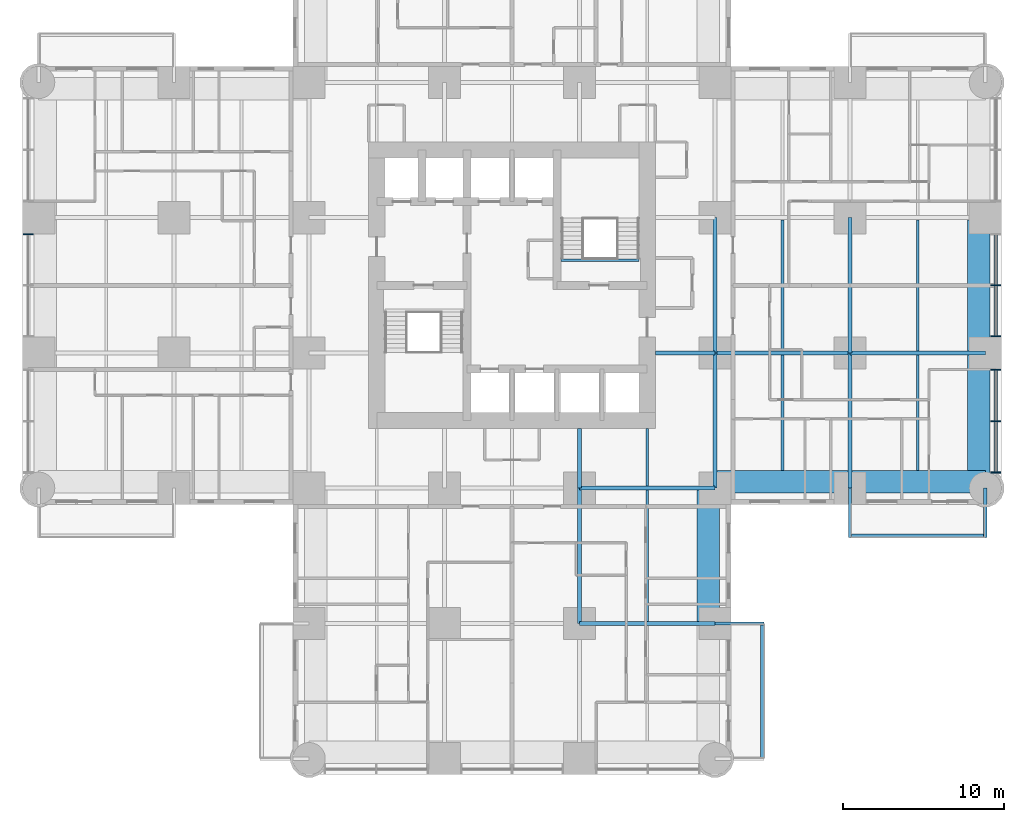
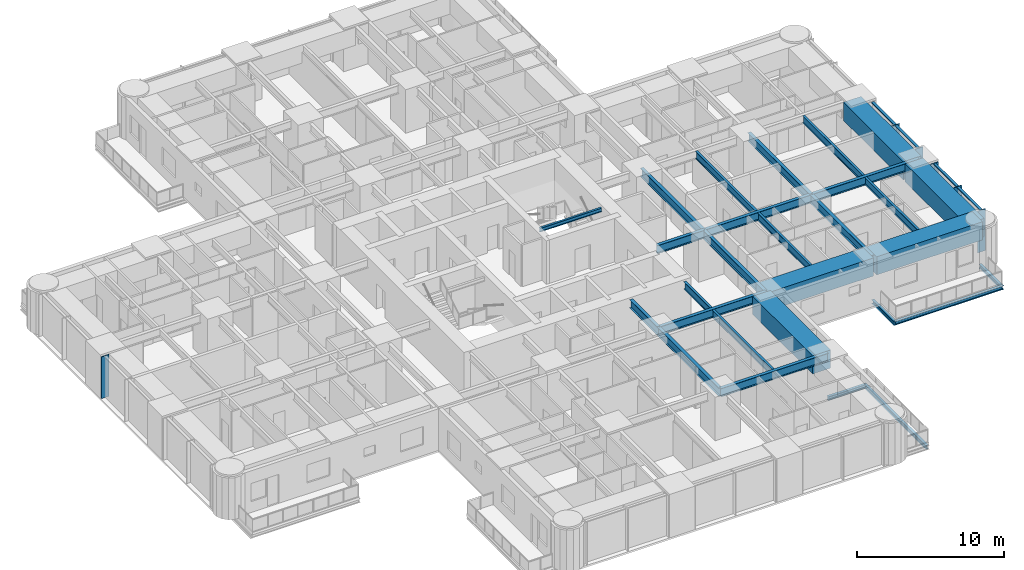
# One storey, part 3 of 17: 28 beams, 10 members, 2 elements without a shape of their own.
"""IFC4 building model written with IfcOpenShell, lengths in metres."""

from ifc_helpers import new_model, si_unit, direction, frame, origin, origin_2d, place, context, subcontext, project, spatial, rectangle, i_section, extrude, material, material_profile, profile_set, type_object, element, aggregate, save


model = new_model("IFC4")

# Units and contexts
model_context = context("Model", 3, precision=1e-05, world=origin(), true_north=direction((0.0, 1.0)))
body_context = subcontext(model_context, "Body", "Model", "MODEL_VIEW")
ifc_project = project(units=[si_unit("LENGTHUNIT", "METRE"), si_unit("AREAUNIT", "SQUARE_METRE"), si_unit("VOLUMEUNIT", "CUBIC_METRE"), si_unit("PLANEANGLEUNIT", "RADIAN"), si_unit("MASSUNIT", "GRAM", prefix="KILO")], contexts=[model_context])

# Site, building, storey
site_placement = place(None, origin())
site = spatial("IfcSite", under=ifc_project, at=site_placement, CompositionType="ELEMENT")
building_placement = place(site_placement, origin())
building = spatial("IfcBuilding", under=site, at=building_placement, Name="Torre Alcanfor", CompositionType="ELEMENT")
storey_placement = place(building_placement, frame((0.0, 0.0, 95.699951171875)))
storey = spatial("IfcBuildingStorey", under=building, at=storey_placement, Name="L24", CompositionType="ELEMENT", Elevation=95.699951171875)

# Beams
ifc_material_1 = material(Name="Steel ASTM A992 Grade 50", Category="steel")
ifc_material_profile_1 = material_profile(ifc_material_1, i_section(OverallWidth=0.205322265625, OverallDepth=0.309814453125, WebThickness=0.00927734375, FlangeThickness=0.016357421875, at=origin_2d()), Name="W12x50")
ifc_profile_set_1 = profile_set([ifc_material_profile_1], Name="Steel ASTM A992 Grade 50")
beam_type_1 = type_object("IfcBeamType", Name="Balcony cantilever beam W12x50", PredefinedType="BEAM", material=ifc_profile_set_1)
for number, where, z_axis, x_axis, name in (
    (1, (50.39990234375, 16.800048828125, -0.35498046875), (0.0, -1.0, 0.0), (1.0, 0.0, 0.0), "Balcony cantilever beam L24-E2 1"),
    (2, (58.800048828125, 16.800048828125, -0.35498046875), (0.0, -1.0, 0.0), (1.0, 0.0, 0.0), "Balcony cantilever beam L24-E2 2"),
    (3, (42.0, 8.39990234375, -0.35498046875), (1.0, 0.0, 0.0), (0.0, 1.0, 0.0), "Balcony cantilever beam L24-S1 1"),
):
    element("IfcBeam", number, at=place(storey_placement, frame(where, z_axis=z_axis, x_axis=x_axis)), inside=storey, type_object=beam_type_1, Name=name, PredefinedType="BEAM", context=body_context, shape_type="SweptSolid", body=[
        extrude(i_section(OverallWidth=0.205322265625, OverallDepth=0.309814453125, WebThickness=0.00927734375, FlangeThickness=0.016357421875, at=origin_2d()), origin(), (0.0, 0.0, 1.0), 3.050048828125),
    ])
ifc_material_2 = material(Name="Steel ASTM A992 Grade 50", Category="steel")
ifc_material_profile_2 = material_profile(ifc_material_2, i_section(OverallWidth=0.203369140625, OverallDepth=0.30224609375, WebThickness=0.007568359375, FlangeThickness=0.01318359375, at=origin_2d()), Name="W12x40")
ifc_profile_set_2 = profile_set([ifc_material_profile_2], Name="Steel ASTM A992 Grade 50")
beam_type_2 = type_object("IfcBeamType", Name="Balcony edge trimmer W12x40", PredefinedType="BEAM", material=ifc_profile_set_2)
beam_1_placement = place(storey_placement, frame((50.39990234375, 13.851806640625, -0.35107421875), z_axis=(1.0, 0.0, 0.0), x_axis=(0.0, 1.0, 0.0)))
element("IfcBeam", 4, at=beam_1_placement, inside=storey, type_object=beam_type_2, Name="Balcony edge trimmer L24-E2", PredefinedType="BEAM", context=body_context, shape_type="SweptSolid", body=[
    extrude(i_section(OverallWidth=0.203369140625, OverallDepth=0.30224609375, WebThickness=0.007568359375, FlangeThickness=0.01318359375, at=origin_2d()), origin(), (0.0, 0.0, 1.0), 8.400146484375),
])
beam_2_placement = place(storey_placement, frame((44.9482421875, 8.39990234375, -0.35107421875), z_axis=(0.0, -1.0, 0.0), x_axis=(1.0, 0.0, 0.0)))
element("IfcBeam", 5, at=beam_2_placement, inside=storey, type_object=beam_type_2, Name="Balcony edge trimmer L24-S1", PredefinedType="BEAM", context=body_context, shape_type="SweptSolid", body=[
    extrude(i_section(OverallWidth=0.203369140625, OverallDepth=0.30224609375, WebThickness=0.007568359375, FlangeThickness=0.01318359375, at=origin_2d()), origin(), (0.0, 0.0, 1.0), 8.39990234375),
])

# Curtain wall, member
ifc_material_3 = material(Name="Aluminium and glass", Category="aluminium")
curtain_wall_type = type_object("IfcCurtainWallType", Name="CW-A unitised apartment glazing with vertical FIN", PredefinedType="NOTDEFINED", material=ifc_material_3)
curtain_wall_1_placement = place(storey_placement, origin())
curtain_wall_1 = element("IfcCurtainWall", 6, at=curtain_wall_1_placement, inside=storey, type_object=curtain_wall_type, Name="Curtain wall CW-A L24 2", PredefinedType="NOTDEFINED")
ifc_material_4 = material(Name="Bronze anodised aluminium", Category="aluminium")
ifc_material_profile_3 = material_profile(ifc_material_4, rectangle(XDim=0.60009765625, YDim=0.06494140625, at=origin_2d()), Name="CW-A mullion 65x600")
ifc_profile_set_3 = profile_set([ifc_material_profile_3], Name="Bronze anodised aluminium")
member_type_1 = type_object("IfcMemberType", Name="CW-A mullion with vertical FIN 65x600", PredefinedType="MULLION", material=ifc_profile_set_3)
member_1_placement = place(storey_placement, frame((-0.64990234375, 32.5625, 0.0), z_axis=(0.0, 0.0, 1.0), x_axis=(1.0, 0.0, 0.0)))
member_1 = element("IfcMember", 7, at=member_1_placement, type_object=member_type_1, Name="CW-A mullion 2.1", PredefinedType="MULLION", context=body_context, shape_type="SweptSolid", body=[
    extrude(rectangle(XDim=0.60009765625, YDim=0.06494140625, at=origin_2d()), origin(), (0.0, 0.0, 1.0), 3.449951171875),
])
aggregate(curtain_wall_1, [member_1])

# Curtain wall, members
curtain_wall_2_placement = place(storey_placement, origin())
curtain_wall_2 = element("IfcCurtainWall", 8, at=curtain_wall_2_placement, inside=storey, type_object=curtain_wall_type, Name="Curtain wall CW-A L24 8", PredefinedType="NOTDEFINED")
member_2_placement = place(storey_placement, frame((59.449951171875, 17.7744140625, 0.0), z_axis=(0.0, 0.0, 1.0), x_axis=(-1.0, 0.0, 0.0)))
member_2 = element("IfcMember", 9, at=member_2_placement, type_object=member_type_1, Name="CW-A mullion 1.1", PredefinedType="MULLION", context=body_context, shape_type="SweptSolid", body=[
    extrude(rectangle(XDim=0.60009765625, YDim=0.06494140625, at=origin_2d()), origin(), (0.0, 0.0, 1.0), 3.449951171875),
])
member_3_placement = place(storey_placement, frame((59.449951171875, 20.968505859375, 0.0), z_axis=(0.0, 0.0, 1.0), x_axis=(-1.0, 0.0, 0.0)))
member_3 = element("IfcMember", 10, at=member_3_placement, type_object=member_type_1, Name="CW-A mullion 1.2", PredefinedType="MULLION", context=body_context, shape_type="SweptSolid", body=[
    extrude(rectangle(XDim=0.60009765625, YDim=0.06494140625, at=origin_2d()), origin(), (0.0, 0.0, 1.0), 3.449951171875),
])
member_4_placement = place(storey_placement, frame((59.449951171875, 24.16259765625, 0.0), z_axis=(0.0, 0.0, 1.0), x_axis=(-1.0, 0.0, 0.0)))
member_4 = element("IfcMember", 11, at=member_4_placement, type_object=member_type_1, Name="CW-A mullion 1.3", PredefinedType="MULLION", context=body_context, shape_type="SweptSolid", body=[
    extrude(rectangle(XDim=0.60009765625, YDim=0.06494140625, at=origin_2d()), origin(), (0.0, 0.0, 1.0), 3.449951171875),
])
member_5_placement = place(storey_placement, frame((59.449951171875, 26.237548828125, 0.0), z_axis=(0.0, 0.0, 1.0), x_axis=(-1.0, 0.0, 0.0)))
member_5 = element("IfcMember", 12, at=member_5_placement, type_object=member_type_1, Name="CW-A mullion 2.1", PredefinedType="MULLION", context=body_context, shape_type="SweptSolid", body=[
    extrude(rectangle(XDim=0.60009765625, YDim=0.06494140625, at=origin_2d()), origin(), (0.0, 0.0, 1.0), 3.449951171875),
])
member_6_placement = place(storey_placement, frame((59.449951171875, 29.39990234375, 0.0), z_axis=(0.0, 0.0, 1.0), x_axis=(-1.0, 0.0, 0.0)))
member_6 = element("IfcMember", 13, at=member_6_placement, type_object=member_type_1, Name="CW-A mullion 2.2", PredefinedType="MULLION", context=body_context, shape_type="SweptSolid", body=[
    extrude(rectangle(XDim=0.60009765625, YDim=0.06494140625, at=origin_2d()), origin(), (0.0, 0.0, 1.0), 3.449951171875),
])
ifc_material_5 = material(Name="Extruded aluminium", Category="aluminium")
ifc_material_profile_4 = material_profile(ifc_material_5, rectangle(XDim=0.199951171875, YDim=0.06494140625, at=origin_2d()), Name="CW-A transom 200x65")
ifc_profile_set_4 = profile_set([ifc_material_profile_4], Name="Extruded aluminium")
member_type_2 = type_object("IfcMemberType", Name="CW-A transom 65x200", PredefinedType="USERDEFINED", material=ifc_profile_set_4)
member_7_placement = place(storey_placement, frame((59.449951171875, 17.806884765625, 3.41748046875), z_axis=(0.0, 1.0, 0.0), x_axis=(-1.0, 0.0, 0.0)))
member_7 = element("IfcMember", 14, at=member_7_placement, type_object=member_type_2, Name="CW-A transom 1.1.2", ObjectType="TRANSOM", PredefinedType="USERDEFINED", context=body_context, shape_type="SweptSolid", body=[
    extrude(rectangle(XDim=0.199951171875, YDim=0.06494140625, at=origin_2d()), origin(), (0.0, 0.0, 1.0), 3.129150390625),
])
member_8_placement = place(storey_placement, frame((59.449951171875, 21.0009765625, 3.41748046875), z_axis=(0.0, 1.0, 0.0), x_axis=(-1.0, 0.0, 0.0)))
member_8 = element("IfcMember", 15, at=member_8_placement, type_object=member_type_2, Name="CW-A transom 1.2.2", ObjectType="TRANSOM", PredefinedType="USERDEFINED", context=body_context, shape_type="SweptSolid", body=[
    extrude(rectangle(XDim=0.199951171875, YDim=0.06494140625, at=origin_2d()), origin(), (0.0, 0.0, 1.0), 3.12890625),
])
member_9_placement = place(storey_placement, frame((59.449951171875, 26.27001953125, 3.41748046875), z_axis=(0.0, 1.0, 0.0), x_axis=(-1.0, 0.0, 0.0)))
member_9 = element("IfcMember", 16, at=member_9_placement, type_object=member_type_2, Name="CW-A transom 2.1.2", ObjectType="TRANSOM", PredefinedType="USERDEFINED", context=body_context, shape_type="SweptSolid", body=[
    extrude(rectangle(XDim=0.199951171875, YDim=0.06494140625, at=origin_2d()), origin(), (0.0, 0.0, 1.0), 3.097412109375),
])
member_10_placement = place(storey_placement, frame((59.449951171875, 29.4326171875, 3.41748046875), z_axis=(0.0, 1.0, 0.0), x_axis=(-1.0, 0.0, 0.0)))
member_10 = element("IfcMember", 17, at=member_10_placement, type_object=member_type_2, Name="CW-A transom 2.2.2", ObjectType="TRANSOM", PredefinedType="USERDEFINED", context=body_context, shape_type="SweptSolid", body=[
    extrude(rectangle(XDim=0.199951171875, YDim=0.06494140625, at=origin_2d()), origin(), (0.0, 0.0, 1.0), 3.097412109375),
])
aggregate(curtain_wall_2, [member_2, member_3, member_4, member_7, member_8, member_5, member_6, member_9, member_10])

# Beams
ifc_material_6 = material(Name="Steel ASTM A992 Grade 50", Category="steel")
ifc_material_profile_5 = material_profile(ifc_material_6, i_section(OverallWidth=0.25390625, OverallDepth=0.683349609375, WebThickness=0.012451171875, FlangeThickness=0.01904296875, at=origin_2d()), Name="W27x94")
ifc_profile_set_5 = profile_set([ifc_material_profile_5], Name="Steel ASTM A992 Grade 50")
beam_type_3 = type_object("IfcBeamType", Name="Girder W27x94", PredefinedType="BEAM", material=ifc_profile_set_5)
for number, where, z_axis, x_axis, name in (
    (18, (33.60009765625, 8.39990234375, 3.1083984375), (1.0, 0.0, 0.0), (0.0, 1.0, 0.0), "Beam 5D-6D under L25"),
    (19, (33.60009765625, 16.800048828125, 3.1083984375), (1.0, 0.0, 0.0), (0.0, 1.0, 0.0), "Beam 5E-6E under L25"),
    (20, (42.0, 25.199951171875, 3.1083984375), (1.0, 0.0, 0.0), (0.0, 1.0, 0.0), "Beam 6F-7F under L25"),
):
    element("IfcBeam", number, at=place(storey_placement, frame(where, z_axis=z_axis, x_axis=x_axis)), inside=storey, type_object=beam_type_3, Name=name, PredefinedType="BEAM", context=body_context, shape_type="SweptSolid", body=[
        extrude(i_section(OverallWidth=0.25390625, OverallDepth=0.683349609375, WebThickness=0.012451171875, FlangeThickness=0.01904296875, at=origin_2d()), origin(), (0.0, 0.0, 1.0), 8.39990234375),
    ])
for number, where, z_axis, x_axis, name in (
    (21, (50.39990234375, 25.199951171875, 3.1083984375), (1.0, 0.0, 0.0), (0.0, 1.0, 0.0), "Beam 7F-8F under L25"),
    (22, (33.60009765625, 8.39990234375, 3.1083984375), (0.0, 1.0, 0.0), (-1.0, 0.0, 0.0), "Beam 5D-5E under L25"),
):
    element("IfcBeam", number, at=place(storey_placement, frame(where, z_axis=z_axis, x_axis=x_axis)), inside=storey, type_object=beam_type_3, Name=name, PredefinedType="BEAM", context=body_context, shape_type="SweptSolid", body=[
        extrude(i_section(OverallWidth=0.25390625, OverallDepth=0.683349609375, WebThickness=0.012451171875, FlangeThickness=0.01904296875, at=origin_2d()), origin(), (0.0, 0.0, 1.0), 8.400146484375),
    ])
beam_3_placement = place(storey_placement, frame((42.0, 16.800048828125, 3.1083984375), z_axis=(0.0, 1.0, 0.0), x_axis=(-1.0, 0.0, 0.0)))
element("IfcBeam", 23, at=beam_3_placement, inside=storey, type_object=beam_type_3, Name="Beam 6E-6F under L25", PredefinedType="BEAM", context=body_context, shape_type="SweptSolid", body=[
    extrude(i_section(OverallWidth=0.25390625, OverallDepth=0.683349609375, WebThickness=0.012451171875, FlangeThickness=0.01904296875, at=origin_2d()), origin(), (0.0, 0.0, 1.0), 8.39990234375),
])
beam_4_placement = place(storey_placement, frame((42.0, 25.199951171875, 3.1083984375), z_axis=(0.0, 1.0, 0.0), x_axis=(-1.0, 0.0, 0.0)))
element("IfcBeam", 24, at=beam_4_placement, inside=storey, type_object=beam_type_3, Name="Beam 6F-6G under L25", PredefinedType="BEAM", context=body_context, shape_type="SweptSolid", body=[
    extrude(i_section(OverallWidth=0.25390625, OverallDepth=0.683349609375, WebThickness=0.012451171875, FlangeThickness=0.01904296875, at=origin_2d()), origin(), (0.0, 0.0, 1.0), 8.400146484375),
])
beam_5_placement = place(storey_placement, frame((50.39990234375, 16.800048828125, 3.1083984375), z_axis=(0.0, 1.0, 0.0), x_axis=(-1.0, 0.0, 0.0)))
element("IfcBeam", 25, at=beam_5_placement, inside=storey, type_object=beam_type_3, Name="Beam 7E-7F under L25", PredefinedType="BEAM", context=body_context, shape_type="SweptSolid", body=[
    extrude(i_section(OverallWidth=0.25390625, OverallDepth=0.683349609375, WebThickness=0.012451171875, FlangeThickness=0.01904296875, at=origin_2d()), origin(), (0.0, 0.0, 1.0), 8.39990234375),
])
beam_6_placement = place(storey_placement, frame((50.39990234375, 25.199951171875, 3.1083984375), z_axis=(0.0, 1.0, 0.0), x_axis=(-1.0, 0.0, 0.0)))
element("IfcBeam", 26, at=beam_6_placement, inside=storey, type_object=beam_type_3, Name="Beam 7F-7G under L25", PredefinedType="BEAM", context=body_context, shape_type="SweptSolid", body=[
    extrude(i_section(OverallWidth=0.25390625, OverallDepth=0.683349609375, WebThickness=0.012451171875, FlangeThickness=0.01904296875, at=origin_2d()), origin(), (0.0, 0.0, 1.0), 8.400146484375),
])
ifc_material_7 = material(Name="Steel ASTM A992 Grade 50", Category="steel")
ifc_material_profile_6 = material_profile(ifc_material_7, i_section(OverallWidth=0.25390625, OverallDepth=0.683349609375, WebThickness=0.012451171875, FlangeThickness=0.01904296875, at=origin_2d()), Name="W27x94")
ifc_profile_set_6 = profile_set([ifc_material_profile_6], Name="Steel ASTM A992 Grade 50")
beam_type_4 = type_object("IfcBeamType", Name="Girder, part bay W27x94", PredefinedType="BEAM", material=ifc_profile_set_6)
for number, where, z_axis, x_axis, name in (
    (27, (33.60009765625, 16.800048828125, 3.1083984375), (0.0, 1.0, 0.0), (-1.0, 0.0, 0.0), "Beam 5E-520_5 under L25"),
    (28, (42.0, 25.199951171875, 3.1083984375), (-1.0, 0.0, 0.0), (0.0, -1.0, 0.0), "Beam 6F-38_3F under L25"),
):
    element("IfcBeam", number, at=place(storey_placement, frame(where, z_axis=z_axis, x_axis=x_axis)), inside=storey, type_object=beam_type_4, Name=name, PredefinedType="BEAM", context=body_context, shape_type="SweptSolid", body=[
        extrude(i_section(OverallWidth=0.25390625, OverallDepth=0.683349609375, WebThickness=0.012451171875, FlangeThickness=0.01904296875, at=origin_2d()), origin(), (0.0, 0.0, 1.0), 3.699951171875),
    ])
ifc_material_8 = material(Name="Concrete f'c 70 MPa", Category="concrete")
ifc_material_profile_7 = material_profile(ifc_material_8, rectangle(XDim=1.39990234375, YDim=1.5, at=origin_2d()), Name="1400x1500")
ifc_profile_set_7 = profile_set([ifc_material_profile_7], Name="Concrete f'c 70 MPa")
beam_type_5 = type_object("IfcBeamType", Name="RC perimeter beam 1400x1500", PredefinedType="BEAM", material=ifc_profile_set_7)
beam_7_placement = place(storey_placement, frame((41.873046875, 17.199951171875, 2.699951171875), z_axis=(1.0, 0.0, 0.0), x_axis=(0.0, 1.0, 0.0)))
element("IfcBeam", 29, at=beam_7_placement, inside=storey, type_object=beam_type_5, Name="Beam 6E-7E under L25", PredefinedType="BEAM", context=body_context, shape_type="SweptSolid", body=[
    extrude(rectangle(XDim=1.39990234375, YDim=1.5, at=origin_2d()), origin(), (0.0, 0.0, 1.0), 8.39990234375),
])
beam_8_placement = place(storey_placement, frame((50.527099609375, 17.199951171875, 2.699951171875), z_axis=(1.0, 0.0, 0.0), x_axis=(0.0, 1.0, 0.0)))
element("IfcBeam", 30, at=beam_8_placement, inside=storey, type_object=beam_type_5, Name="Beam 7E-8E under L25", PredefinedType="BEAM", context=body_context, shape_type="SweptSolid", body=[
    extrude(rectangle(XDim=1.39990234375, YDim=1.5, at=origin_2d()), origin(), (0.0, 0.0, 1.0), 8.27294921875),
])
beam_9_placement = place(storey_placement, frame((41.60009765625, 8.527099609375, 2.699951171875), z_axis=(0.0, 1.0, 0.0), x_axis=(-1.0, 0.0, 0.0)))
element("IfcBeam", 31, at=beam_9_placement, inside=storey, type_object=beam_type_5, Name="Beam 6D-6E under L25", PredefinedType="BEAM", context=body_context, shape_type="SweptSolid", body=[
    extrude(rectangle(XDim=1.39990234375, YDim=1.5, at=origin_2d()), origin(), (0.0, 0.0, 1.0), 8.14599609375),
])
beam_10_placement = place(storey_placement, frame((58.39990234375, 16.800048828125, 2.699951171875), z_axis=(0.0, 1.0, 0.0), x_axis=(-1.0, 0.0, 0.0)))
element("IfcBeam", 32, at=beam_10_placement, inside=storey, type_object=beam_type_5, Name="Beam 8E-8F under L25", PredefinedType="BEAM", context=body_context, shape_type="SweptSolid", body=[
    extrude(rectangle(XDim=1.39990234375, YDim=1.5, at=origin_2d()), origin(), (0.0, 0.0, 1.0), 8.27294921875),
])
beam_11_placement = place(storey_placement, frame((58.39990234375, 25.326904296875, 2.699951171875), z_axis=(0.0, 1.0, 0.0), x_axis=(-1.0, 0.0, 0.0)))
element("IfcBeam", 33, at=beam_11_placement, inside=storey, type_object=beam_type_5, Name="Beam 8F-8G under L25", PredefinedType="BEAM", context=body_context, shape_type="SweptSolid", body=[
    extrude(rectangle(XDim=1.39990234375, YDim=1.5, at=origin_2d()), origin(), (0.0, 0.0, 1.0), 8.14599609375),
])
ifc_material_9 = material(Name="Steel ASTM A992 Grade 50", Category="steel")
ifc_material_profile_8 = material_profile(ifc_material_9, i_section(OverallWidth=0.1787109375, OverallDepth=0.60205078125, WebThickness=0.010986328125, FlangeThickness=0.014892578125, at=origin_2d()), Name="W24x62")
ifc_profile_set_8 = profile_set([ifc_material_profile_8], Name="Steel ASTM A992 Grade 50")
beam_type_6 = type_object("IfcBeamType", Name="Secondary beam W24x62", PredefinedType="BEAM", material=ifc_profile_set_8)
beam_12_placement = place(storey_placement, frame((37.800048828125, 8.527099609375, 3.149169921875), z_axis=(0.0, 1.0, 0.0), x_axis=(-1.0, 0.0, 0.0)))
element("IfcBeam", 34, at=beam_12_placement, inside=storey, type_object=beam_type_6, Name="Beam 37_8D-37_8E under L25", PredefinedType="BEAM", context=body_context, shape_type="SweptSolid", body=[
    extrude(i_section(OverallWidth=0.1787109375, OverallDepth=0.60205078125, WebThickness=0.010986328125, FlangeThickness=0.014892578125, at=origin_2d()), origin(), (0.0, 0.0, 1.0), 8.14599609375),
])
beam_13_placement = place(storey_placement, frame((46.199951171875, 17.89990234375, 3.149169921875), z_axis=(0.0, 1.0, 0.0), x_axis=(-1.0, 0.0, 0.0)))
element("IfcBeam", 35, at=beam_13_placement, inside=storey, type_object=beam_type_6, Name="Beam 46_2E-46_2F under L25", PredefinedType="BEAM", context=body_context, shape_type="SweptSolid", body=[
    extrude(i_section(OverallWidth=0.1787109375, OverallDepth=0.60205078125, WebThickness=0.010986328125, FlangeThickness=0.014892578125, at=origin_2d()), origin(), (0.0, 0.0, 1.0), 7.173095703125),
])
beam_14_placement = place(storey_placement, frame((46.199951171875, 25.326904296875, 3.149169921875), z_axis=(0.0, 1.0, 0.0), x_axis=(-1.0, 0.0, 0.0)))
element("IfcBeam", 36, at=beam_14_placement, inside=storey, type_object=beam_type_6, Name="Beam 46_2F-46_2G under L25", PredefinedType="BEAM", context=body_context, shape_type="SweptSolid", body=[
    extrude(i_section(OverallWidth=0.1787109375, OverallDepth=0.60205078125, WebThickness=0.010986328125, FlangeThickness=0.014892578125, at=origin_2d()), origin(), (0.0, 0.0, 1.0), 8.14599609375),
])
beam_15_placement = place(storey_placement, frame((54.60009765625, 17.89990234375, 3.149169921875), z_axis=(0.0, 1.0, 0.0), x_axis=(-1.0, 0.0, 0.0)))
element("IfcBeam", 37, at=beam_15_placement, inside=storey, type_object=beam_type_6, Name="Beam 54_6E-54_6F under L25", PredefinedType="BEAM", context=body_context, shape_type="SweptSolid", body=[
    extrude(i_section(OverallWidth=0.1787109375, OverallDepth=0.60205078125, WebThickness=0.010986328125, FlangeThickness=0.014892578125, at=origin_2d()), origin(), (0.0, 0.0, 1.0), 7.173095703125),
])
beam_16_placement = place(storey_placement, frame((54.60009765625, 25.326904296875, 3.149169921875), z_axis=(0.0, 1.0, 0.0), x_axis=(-1.0, 0.0, 0.0)))
element("IfcBeam", 38, at=beam_16_placement, inside=storey, type_object=beam_type_6, Name="Beam 54_6F-54_6G under L25", PredefinedType="BEAM", context=body_context, shape_type="SweptSolid", body=[
    extrude(i_section(OverallWidth=0.1787109375, OverallDepth=0.60205078125, WebThickness=0.010986328125, FlangeThickness=0.014892578125, at=origin_2d()), origin(), (0.0, 0.0, 1.0), 8.14599609375),
])
ifc_material_10 = material(Name="Steel ASTM A992 Grade 50", Category="steel")
ifc_material_profile_9 = material_profile(ifc_material_10, i_section(OverallWidth=0.1787109375, OverallDepth=0.60205078125, WebThickness=0.010986328125, FlangeThickness=0.014892578125, at=origin_2d()), Name="W24x62")
ifc_profile_set_9 = profile_set([ifc_material_profile_9], Name="Steel ASTM A992 Grade 50")
beam_type_7 = type_object("IfcBeamType", Name="Secondary beam, part bay W24x62", PredefinedType="BEAM", material=ifc_profile_set_9)
beam_17_placement = place(storey_placement, frame((37.800048828125, 16.927001953125, 3.149169921875), z_axis=(0.0, 1.0, 0.0), x_axis=(-1.0, 0.0, 0.0)))
element("IfcBeam", 39, at=beam_17_placement, inside=storey, type_object=beam_type_7, Name="Beam 37_8E-37_820_5 under L25", PredefinedType="BEAM", context=body_context, shape_type="SweptSolid", body=[
    extrude(i_section(OverallWidth=0.1787109375, OverallDepth=0.60205078125, WebThickness=0.010986328125, FlangeThickness=0.014892578125, at=origin_2d()), origin(), (0.0, 0.0, 1.0), 3.572998046875),
])
ifc_material_11 = material(Name="Steel ASTM A992 Grade 50", Category="steel")
ifc_material_profile_10 = material_profile(ifc_material_11, i_section(OverallWidth=0.164794921875, OverallDepth=0.309814453125, WebThickness=0.005859375, FlangeThickness=0.009765625, at=origin_2d()), Name="W12x26")
ifc_profile_set_10 = profile_set([ifc_material_profile_10], Name="Steel ASTM A992 Grade 50")
beam_type_8 = type_object("IfcBeamType", Name="Stair landing beam W12x26", PredefinedType="BEAM", material=ifc_profile_set_10)
beam_18_placement = place(storey_placement, frame((32.449951171875, 30.962646484375, 3.2451171875), z_axis=(1.0, 0.0, 0.0), x_axis=(0.0, 1.0, 0.0)))
element("IfcBeam", 40, at=beam_18_placement, inside=storey, type_object=beam_type_8, Name="Landing trimmer S2 L25", PredefinedType="BEAM", context=body_context, shape_type="SweptSolid", body=[
    extrude(i_section(OverallWidth=0.164794921875, OverallDepth=0.309814453125, WebThickness=0.005859375, FlangeThickness=0.009765625, at=origin_2d()), origin(), (0.0, 0.0, 1.0), 4.85009765625),
])

save(model, "model.ifc")
